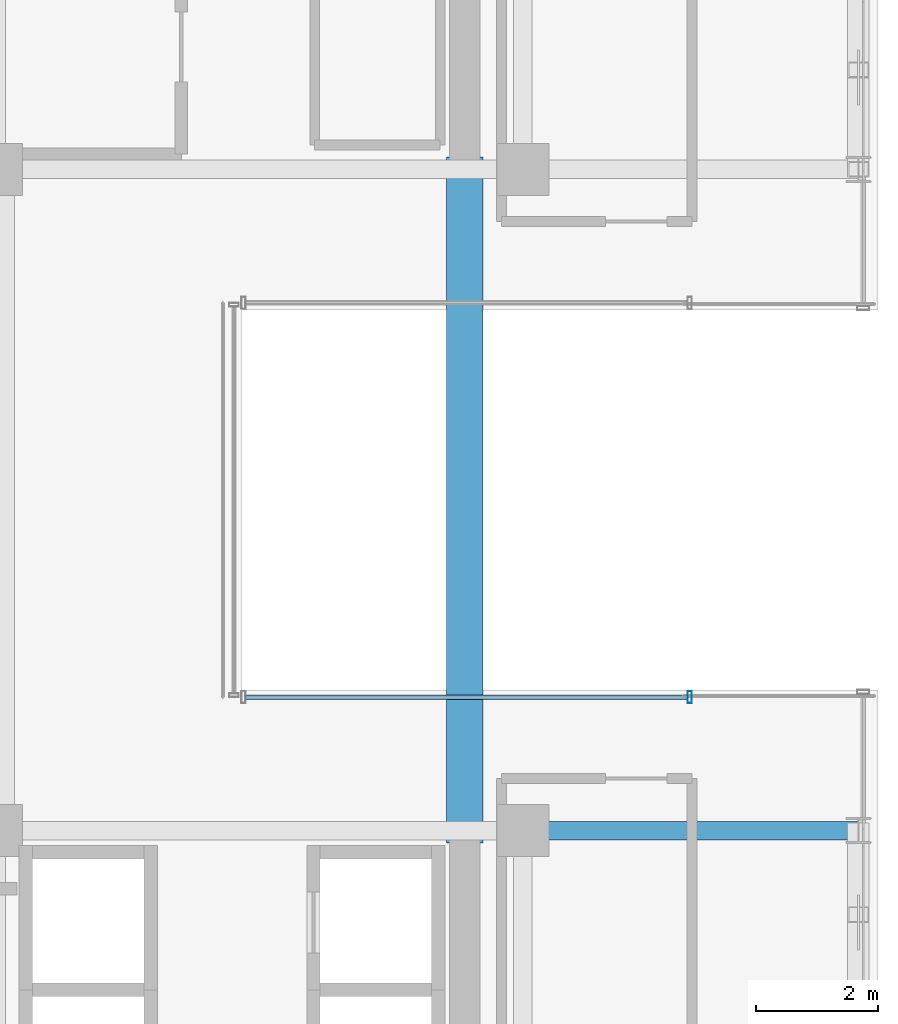
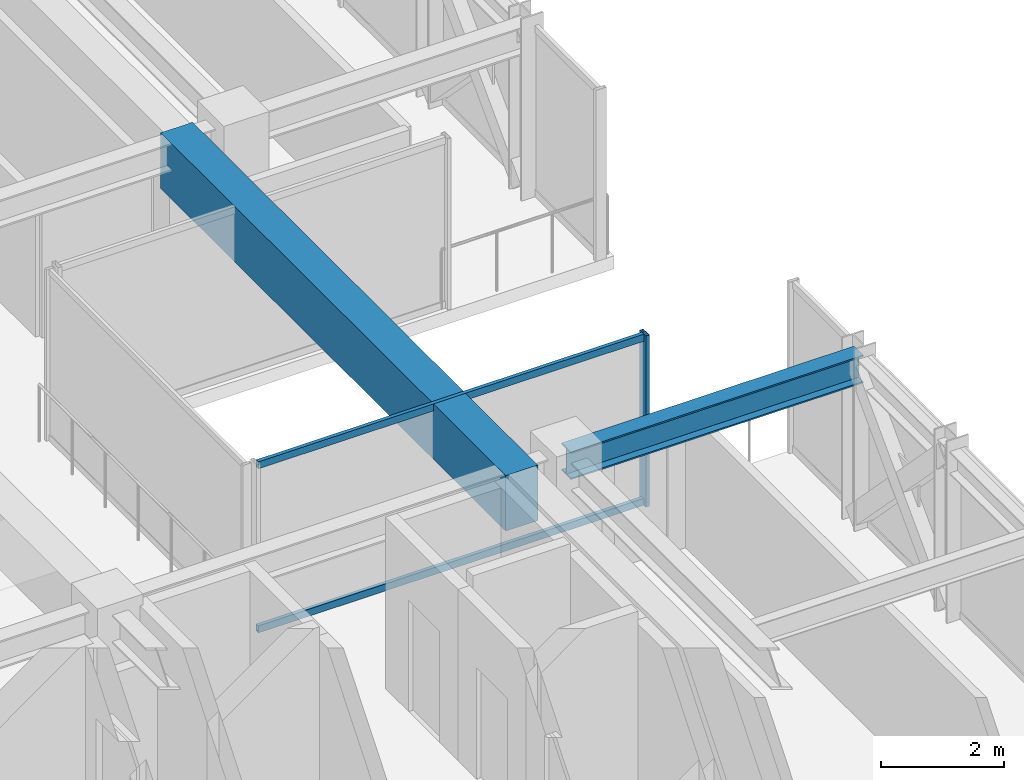
# One storey, part 18 of 43: 3 members, 2 beams, 1 element without a shape of its own.
"""IFC4 building model written with IfcOpenShell, lengths in metres."""

from ifc_helpers import new_model, si_unit, direction, frame, origin, origin_2d, place, context, subcontext, project, spatial, rectangle, hollow_rectangle, i_section, extrude, source, transform, mapped, material, material_profile, profile_set, type_object, element, aggregate, save


model = new_model("IFC4")

# Units and contexts
model_context = context("Model", 3, precision=1e-05, world=origin(), true_north=direction((0.0, 1.0)))
body_context = subcontext(model_context, "Body", "Model", "MODEL_VIEW")
ifc_project = project(units=[si_unit("LENGTHUNIT", "METRE"), si_unit("AREAUNIT", "SQUARE_METRE"), si_unit("VOLUMEUNIT", "CUBIC_METRE"), si_unit("PLANEANGLEUNIT", "RADIAN"), si_unit("MASSUNIT", "GRAM", prefix="KILO")], contexts=[model_context])

# Site, building, storey
site_placement = place(None, origin())
site = spatial("IfcSite", under=ifc_project, at=site_placement, CompositionType="ELEMENT")
building_placement = place(site_placement, origin())
building = spatial("IfcBuilding", under=site, at=building_placement, Name="Nahalor Promenade Grand Hotel", CompositionType="ELEMENT")
storey_placement = place(building_placement, frame((0.0, 0.0, 181.85009765625)))
storey = spatial("IfcBuildingStorey", under=building, at=storey_placement, Name="L46", CompositionType="ELEMENT", Elevation=181.85009765625)

# Beams
ifc_material_1 = material(Name="Concrete B-60 (C50/60)", Category="concrete")
ifc_material_profile_1 = material_profile(ifc_material_1, rectangle(XDim=0.6, YDim=1.1, at=origin_2d()), Name="RC 600x1100")
ifc_profile_set_1 = profile_set([ifc_material_profile_1], Name="Concrete B-60 (C50/60)")
beam_type_1 = type_object("IfcBeamType", Name="Beam-Lintel-RC1100", PredefinedType="LINTEL", material=ifc_profile_set_1)
shared_shape_1 = source(origin(), body_context, "Body", "SweptSolid", [
    extrude(rectangle(XDim=0.6, YDim=1.1, at=origin_2d()), origin(), (0.0, 0.0, 1.0), 11.2001953125),
])
beam_1_placement = place(storey_placement, frame((16.050048828125, -5.60009765625, 2.83984375), z_axis=(0.0, 1.0, 0.0), x_axis=(-1.0, 0.0, 0.0)))
element("IfcBeam", 1, at=beam_1_placement, inside=storey, type_object=beam_type_1, Name="BM-L46-LINT-E", PredefinedType="LINTEL", context=body_context, shape_type="MappedRepresentation", body=[
    mapped(shared_shape_1, transform((0.0, 0.0, 0.0), scale=1.0)),
])
ifc_material_2 = material(Name="Steel S355JR", Category="steel")
ifc_material_profile_2 = material_profile(ifc_material_2, i_section(OverallWidth=0.3, OverallDepth=0.55, WebThickness=0.015, FlangeThickness=0.029, at=origin_2d()), Name="HEB 550")
ifc_profile_set_2 = profile_set([ifc_material_profile_2], Name="Steel S355JR")
beam_type_2 = type_object("IfcBeamType", Name="Beam-Girder-HEB550", PredefinedType="BEAM", material=ifc_profile_set_2)
shared_shape_2 = source(origin(), body_context, "Body", "SweptSolid", [
    extrude(i_section(OverallWidth=0.3, OverallDepth=0.55, WebThickness=0.015, FlangeThickness=0.029, at=origin_2d()), origin(), (0.0, 0.0, 1.0), 5.47998046875),
])
beam_2_placement = place(storey_placement, frame((17.0, -5.39990234375, 3.114990234375), z_axis=(1.0, 0.0, 0.0), x_axis=(0.0, 1.0, 0.0)))
element("IfcBeam", 2, at=beam_2_placement, inside=storey, type_object=beam_type_2, Name="BM-L46-GX-1-6", PredefinedType="BEAM", context=body_context, shape_type="MappedRepresentation", body=[
    mapped(shared_shape_2, transform((0.0, 0.0, 0.0), scale=1.0)),
])

# Curtain wall, members
ifc_material_3 = material(Name="Anodised Bronze Aluminium EN AW-6063 T6", Category="aluminium")
curtain_wall_type = type_object("IfcCurtainWallType", Name="CW3 Elliptical-Void Collar Unitised Curtain Wall", PredefinedType="USERDEFINED", material=ifc_material_3)
curtain_wall_placement = place(storey_placement, origin())
curtain_wall = element("IfcCurtainWall", 3, at=curtain_wall_placement, inside=storey, type_object=curtain_wall_type, Name="L46 Curtain Wall CW-L46-VOID-ES1", ObjectType="UNITISED_CURTAIN_WALL", PredefinedType="USERDEFINED")
ifc_material_profile_3 = material_profile(ifc_material_3, hollow_rectangle(XDim=0.07, YDim=0.14, WallThickness=0.004, at=origin_2d()), Name="CWT 70x140x4")
ifc_profile_set_3 = profile_set([ifc_material_profile_3], Name="Anodised Bronze Aluminium EN AW-6063 T6")
member_type_1 = type_object("IfcMemberType", Name="CWT3 Void Collar Transom 70x140", PredefinedType="USERDEFINED", material=ifc_profile_set_3)
shared_shape_3 = source(origin(), body_context, "Body", "SweptSolid", [
    extrude(hollow_rectangle(XDim=0.07, YDim=0.14, WallThickness=0.004, at=origin_2d()), origin(), (0.0, 0.0, 1.0), 7.219970703125),
])
member_1_placement = place(storey_placement, frame((12.469970703125, -3.219970703125, 0.06982421875), z_axis=(1.0, 0.0, 0.0), x_axis=(0.0, 1.0, 0.0)))
member_1 = element("IfcMember", 4, at=member_1_placement, type_object=member_type_1, Name="CW-L46-VOID-ES1 Transom 0-0", ObjectType="TRANSOM", PredefinedType="USERDEFINED", context=body_context, shape_type="MappedRepresentation", body=[
    mapped(shared_shape_3, transform((0.0, 0.0, 0.0), scale=1.0)),
])
member_2_placement = place(storey_placement, frame((12.469970703125, -3.219970703125, 3.31982421875), z_axis=(1.0, 0.0, 0.0), x_axis=(0.0, 1.0, 0.0)))
member_2 = element("IfcMember", 5, at=member_2_placement, type_object=member_type_1, Name="CW-L46-VOID-ES1 Transom 0-1", ObjectType="TRANSOM", PredefinedType="USERDEFINED", context=body_context, shape_type="MappedRepresentation", body=[
    mapped(shared_shape_3, transform((0.0, 0.0, 0.0), scale=1.0)),
])
ifc_material_profile_4 = material_profile(ifc_material_3, hollow_rectangle(XDim=0.07, YDim=0.2, WallThickness=0.005, at=origin_2d()), Name="CWM 70x200x5")
ifc_profile_set_4 = profile_set([ifc_material_profile_4], Name="Anodised Bronze Aluminium EN AW-6063 T6")
member_type_2 = type_object("IfcMemberType", Name="CWM3 Void Collar Mullion 70x200", PredefinedType="MULLION", material=ifc_profile_set_4)
shared_shape_4 = source(origin(), body_context, "Body", "SweptSolid", [
    extrude(hollow_rectangle(XDim=0.07, YDim=0.2, WallThickness=0.005, at=origin_2d()), origin(), (0.0, 0.0, 1.0), 3.389892578125),
])
member_3_placement = place(storey_placement, frame((19.72509765625, -3.219970703125, 0.0), z_axis=(0.0, 0.0, 1.0), x_axis=(1.0, 0.0, 0.0)))
member_3 = element("IfcMember", 6, at=member_3_placement, type_object=member_type_2, Name="CW-L46-VOID-ES1 Mullion 1", PredefinedType="MULLION", context=body_context, shape_type="MappedRepresentation", body=[
    mapped(shared_shape_4, transform((0.0, 0.0, 0.0), scale=1.0)),
])
aggregate(curtain_wall, [member_3, member_1, member_2])

save(model, "model.ifc")
